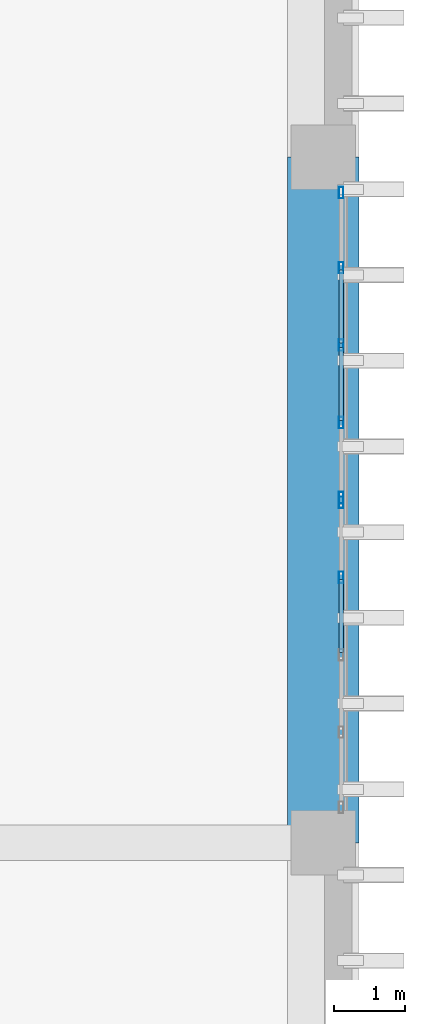
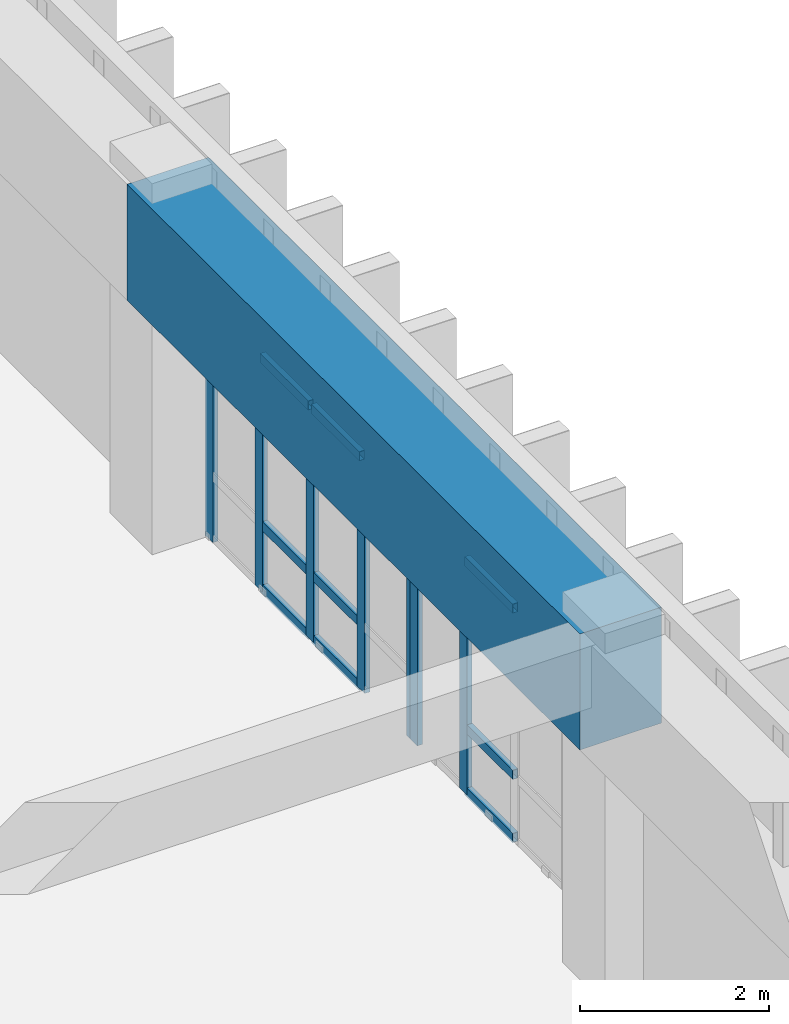
# One storey, part 39 of 101: 16 members, 1 beam, 2 elements without a shape of their own.
"""IFC4 building model written with IfcOpenShell, lengths in metres."""

from ifc_helpers import new_model, si_unit, direction, frame, origin, origin_2d, place, context, subcontext, project, spatial, rectangle, hollow_rectangle, extrude, material, layer, layer_set, material_profile, profile_set, type_object, element, aggregate, save


model = new_model("IFC4")

# Units and contexts
model_context = context("Model", 3, precision=1e-05, world=origin(), true_north=direction((0.0, 1.0)))
body_context = subcontext(model_context, "Body", "Model", "MODEL_VIEW")
ifc_project = project(units=[si_unit("LENGTHUNIT", "METRE"), si_unit("AREAUNIT", "SQUARE_METRE"), si_unit("VOLUMEUNIT", "CUBIC_METRE"), si_unit("PLANEANGLEUNIT", "RADIAN"), si_unit("MASSUNIT", "GRAM", prefix="KILO")], contexts=[model_context])

# Site, building, storey
site_placement = place(None, origin())
site = spatial("IfcSite", under=ifc_project, at=site_placement, CompositionType="ELEMENT")
building_placement = place(site_placement, origin())
building = spatial("IfcBuilding", under=site, at=building_placement, Name="Nakhvara Creek Congress Hotel", CompositionType="ELEMENT")
storey_placement = place(building_placement, frame((0.0, 0.0, 16.199951171875)))
storey = spatial("IfcBuildingStorey", under=building, at=storey_placement, Name="L03", CompositionType="ELEMENT", Elevation=16.199951171875)

# Beam
ifc_material_1 = material(Name="Concrete C50/60", Category="concrete")
ifc_material_profile_1 = material_profile(ifc_material_1, rectangle(XDim=1.0, YDim=1.5, at=origin_2d()), Name="RC-TG 1000x1500", Category="LoadBearing")
ifc_profile_set_1 = profile_set([ifc_material_profile_1], Name="Concrete C50/60")
beam_type = type_object("IfcBeamType", Name="BM-TG2-1500", PredefinedType="BEAM", material=ifc_profile_set_1)
beam_placement = place(storey_placement, frame((179.35009765625, 28.800048828125, 3.7900390625), z_axis=(0.0, 1.0, 0.0), x_axis=(-1.0, 0.0, 0.0)))
element("IfcBeam", 1, at=beam_placement, inside=storey, type_object=beam_type, Name="Transfer Girder TG2-L03-1899", PredefinedType="BEAM", context=body_context, shape_type="SweptSolid", body=[
    extrude(rectangle(XDim=1.0, YDim=1.5, at=origin_2d()), origin(), (0.0, 0.0, 1.0), 9.599853515625),
])

# Curtain wall, members
ifc_material_2 = material(Name="Bronze-anodised aluminium AW-6063-T6 and double-silver low-E glass", Category="aluminium")
ifc_layer = layer(ifc_material_2, 0.199951171875)
ifc_layer_set = layer_set([ifc_layer], Name="Bronze-anodised aluminium AW-6063-T6 and double-silver low-E glass")
curtain_wall_type = type_object("IfcCurtainWallType", Name="CW-HTL-UNIT", PredefinedType="USERDEFINED", material=ifc_layer_set)
curtain_wall_1_placement = place(storey_placement, origin())
curtain_wall_1 = element("IfcCurtainWall", 2, at=curtain_wall_1_placement, inside=storey, type_object=curtain_wall_type, Name="Curtain Wall CW154", ObjectType="UNITISED", PredefinedType="USERDEFINED")
ifc_material_3 = material(Name="Bronze-anodised aluminium AW-6063-T6", Category="aluminium")
ifc_material_profile_2 = material_profile(ifc_material_3, hollow_rectangle(XDim=0.06494140625, YDim=0.159912109375, WallThickness=0.00390625, at=origin_2d()), Name="ALU-MULL 65x160x4", Category="LoadBearing")
ifc_profile_set_2 = profile_set([ifc_material_profile_2], Name="Bronze-anodised aluminium AW-6063-T6")
member_type_1 = type_object("IfcMemberType", Name="CW-MULL-160", PredefinedType="MULLION", material=ifc_profile_set_2)
member_1_placement = place(storey_placement, frame((179.60009765625, 33.5673828125, 0.0), z_axis=(0.0, 0.0, 1.0), x_axis=(1.0, 0.0, 0.0)))
member_1 = element("IfcMember", 3, at=member_1_placement, type_object=member_type_1, Name="CW154 mullion 1", PredefinedType="MULLION", context=body_context, shape_type="SweptSolid", body=[
    extrude(hollow_rectangle(XDim=0.06494140625, YDim=0.159912109375, WallThickness=0.00390625, at=origin_2d()), origin(), (0.0, 0.0, 1.0), 3.031982421875),
])
member_2_placement = place(storey_placement, frame((179.60009765625, 32.516357421875, 0.0), z_axis=(0.0, 0.0, 1.0), x_axis=(1.0, 0.0, 0.0)))
member_2 = element("IfcMember", 4, at=member_2_placement, type_object=member_type_1, Name="CW154 mullion 2", PredefinedType="MULLION", context=body_context, shape_type="SweptSolid", body=[
    extrude(hollow_rectangle(XDim=0.06494140625, YDim=0.159912109375, WallThickness=0.00390625, at=origin_2d()), origin(), (0.0, 0.0, 1.0), 3.031982421875),
])

curtain_wall_2_placement = place(storey_placement, origin())
curtain_wall_2 = element("IfcCurtainWall", 5, at=curtain_wall_2_placement, inside=storey, type_object=curtain_wall_type, Name="Curtain Wall CW155", ObjectType="UNITISED", PredefinedType="USERDEFINED")
member_3_placement = place(storey_placement, frame((179.60009765625, 37.902587890625, 0.0), z_axis=(0.0, 0.0, 1.0), x_axis=(1.0, 0.0, 0.0)))
member_3 = element("IfcMember", 6, at=member_3_placement, type_object=member_type_1, Name="CW155 mullion 1", PredefinedType="MULLION", context=body_context, shape_type="SweptSolid", body=[
    extrude(hollow_rectangle(XDim=0.06494140625, YDim=0.159912109375, WallThickness=0.00390625, at=origin_2d()), origin(), (0.0, 0.0, 1.0), 3.031982421875),
])
member_4_placement = place(storey_placement, frame((179.60009765625, 36.851318359375, 0.0), z_axis=(0.0, 0.0, 1.0), x_axis=(1.0, 0.0, 0.0)))
member_4 = element("IfcMember", 7, at=member_4_placement, type_object=member_type_1, Name="CW155 mullion 2", PredefinedType="MULLION", context=body_context, shape_type="SweptSolid", body=[
    extrude(hollow_rectangle(XDim=0.06494140625, YDim=0.159912109375, WallThickness=0.00390625, at=origin_2d()), origin(), (0.0, 0.0, 1.0), 3.031982421875),
])
member_5_placement = place(storey_placement, frame((179.60009765625, 35.767578125, 0.0), z_axis=(0.0, 0.0, 1.0), x_axis=(1.0, 0.0, 0.0)))
member_5 = element("IfcMember", 8, at=member_5_placement, type_object=member_type_1, Name="CW155 mullion 3", PredefinedType="MULLION", context=body_context, shape_type="SweptSolid", body=[
    extrude(hollow_rectangle(XDim=0.06494140625, YDim=0.159912109375, WallThickness=0.00390625, at=origin_2d()), origin(), (0.0, 0.0, 1.0), 3.031982421875),
])
member_6_placement = place(storey_placement, frame((179.60009765625, 34.683837890625, 0.0), z_axis=(0.0, 0.0, 1.0), x_axis=(1.0, 0.0, 0.0)))
member_6 = element("IfcMember", 9, at=member_6_placement, type_object=member_type_1, Name="CW155 mullion 4", PredefinedType="MULLION", context=body_context, shape_type="SweptSolid", body=[
    extrude(hollow_rectangle(XDim=0.06494140625, YDim=0.159912109375, WallThickness=0.00390625, at=origin_2d()), origin(), (0.0, 0.0, 1.0), 3.031982421875),
])
member_7_placement = place(storey_placement, frame((179.60009765625, 33.632568359375, 0.0), z_axis=(0.0, 0.0, 1.0), x_axis=(1.0, 0.0, 0.0)))
member_7 = element("IfcMember", 10, at=member_7_placement, type_object=member_type_1, Name="CW155 mullion 5", PredefinedType="MULLION", context=body_context, shape_type="SweptSolid", body=[
    extrude(hollow_rectangle(XDim=0.06494140625, YDim=0.159912109375, WallThickness=0.00390625, at=origin_2d()), origin(), (0.0, 0.0, 1.0), 3.031982421875),
])

# Member
ifc_material_profile_3 = material_profile(ifc_material_3, hollow_rectangle(XDim=0.06494140625, YDim=0.1201171875, WallThickness=0.00390625, at=origin_2d()), Name="ALU-TRAN 65x120x4", Category="LoadBearing")
ifc_profile_set_3 = profile_set([ifc_material_profile_3], Name="Bronze-anodised aluminium AW-6063-T6")
member_type_2 = type_object("IfcMemberType", Name="CW-TRAN-120", PredefinedType="USERDEFINED", material=ifc_profile_set_3)
member_8_placement = place(storey_placement, frame((179.60009765625, 32.483642578125, 0.032470703125), z_axis=(0.0, -1.0, 0.0), x_axis=(1.0, 0.0, 0.0)))
member_8 = element("IfcMember", 11, at=member_8_placement, type_object=member_type_2, Name="CW154 transom 2.1", ObjectType="TRANSOM", PredefinedType="USERDEFINED", context=body_context, shape_type="SweptSolid", body=[
    extrude(hollow_rectangle(XDim=0.06494140625, YDim=0.1201171875, WallThickness=0.00390625, at=origin_2d()), origin(), (0.0, 0.0, 1.0), 1.0185546875),
])

member_9_placement = place(storey_placement, frame((179.60009765625, 32.483642578125, 0.85009765625), z_axis=(0.0, -1.0, 0.0), x_axis=(1.0, 0.0, 0.0)))
member_9 = element("IfcMember", 12, at=member_9_placement, type_object=member_type_2, Name="CW154 transom 2.2", ObjectType="TRANSOM", PredefinedType="USERDEFINED", context=body_context, shape_type="SweptSolid", body=[
    extrude(hollow_rectangle(XDim=0.06494140625, YDim=0.1201171875, WallThickness=0.00390625, at=origin_2d()), origin(), (0.0, 0.0, 1.0), 1.0185546875),
])

member_10_placement = place(storey_placement, frame((179.60009765625, 32.483642578125, 2.99951171875), z_axis=(0.0, -1.0, 0.0), x_axis=(1.0, 0.0, 0.0)))
member_10 = element("IfcMember", 13, at=member_10_placement, type_object=member_type_2, Name="CW154 transom 2.3", ObjectType="TRANSOM", PredefinedType="USERDEFINED", context=body_context, shape_type="SweptSolid", body=[
    extrude(hollow_rectangle(XDim=0.06494140625, YDim=0.1201171875, WallThickness=0.00390625, at=origin_2d()), origin(), (0.0, 0.0, 1.0), 1.0185546875),
])

aggregate(curtain_wall_1, [member_1, member_2, member_8, member_9, member_10])

member_11_placement = place(storey_placement, frame((179.60009765625, 36.81884765625, 0.032470703125), z_axis=(0.0, -1.0, 0.0), x_axis=(1.0, 0.0, 0.0)))
member_11 = element("IfcMember", 14, at=member_11_placement, type_object=member_type_2, Name="CW155 transom 2.1", ObjectType="TRANSOM", PredefinedType="USERDEFINED", context=body_context, shape_type="SweptSolid", body=[
    extrude(hollow_rectangle(XDim=0.06494140625, YDim=0.1201171875, WallThickness=0.00390625, at=origin_2d()), origin(), (0.0, 0.0, 1.0), 1.018798828125),
])

member_12_placement = place(storey_placement, frame((179.60009765625, 36.81884765625, 0.85009765625), z_axis=(0.0, -1.0, 0.0), x_axis=(1.0, 0.0, 0.0)))
member_12 = element("IfcMember", 15, at=member_12_placement, type_object=member_type_2, Name="CW155 transom 2.2", ObjectType="TRANSOM", PredefinedType="USERDEFINED", context=body_context, shape_type="SweptSolid", body=[
    extrude(hollow_rectangle(XDim=0.06494140625, YDim=0.1201171875, WallThickness=0.00390625, at=origin_2d()), origin(), (0.0, 0.0, 1.0), 1.018798828125),
])

member_13_placement = place(storey_placement, frame((179.60009765625, 36.81884765625, 2.99951171875), z_axis=(0.0, -1.0, 0.0), x_axis=(1.0, 0.0, 0.0)))
member_13 = element("IfcMember", 16, at=member_13_placement, type_object=member_type_2, Name="CW155 transom 2.3", ObjectType="TRANSOM", PredefinedType="USERDEFINED", context=body_context, shape_type="SweptSolid", body=[
    extrude(hollow_rectangle(XDim=0.06494140625, YDim=0.1201171875, WallThickness=0.00390625, at=origin_2d()), origin(), (0.0, 0.0, 1.0), 1.018798828125),
])

member_14_placement = place(storey_placement, frame((179.60009765625, 35.735107421875, 0.032470703125), z_axis=(0.0, -1.0, 0.0), x_axis=(1.0, 0.0, 0.0)))
member_14 = element("IfcMember", 17, at=member_14_placement, type_object=member_type_2, Name="CW155 transom 3.1", ObjectType="TRANSOM", PredefinedType="USERDEFINED", context=body_context, shape_type="SweptSolid", body=[
    extrude(hollow_rectangle(XDim=0.06494140625, YDim=0.1201171875, WallThickness=0.00390625, at=origin_2d()), origin(), (0.0, 0.0, 1.0), 1.018798828125),
])

member_15_placement = place(storey_placement, frame((179.60009765625, 35.735107421875, 0.85009765625), z_axis=(0.0, -1.0, 0.0), x_axis=(1.0, 0.0, 0.0)))
member_15 = element("IfcMember", 18, at=member_15_placement, type_object=member_type_2, Name="CW155 transom 3.2", ObjectType="TRANSOM", PredefinedType="USERDEFINED", context=body_context, shape_type="SweptSolid", body=[
    extrude(hollow_rectangle(XDim=0.06494140625, YDim=0.1201171875, WallThickness=0.00390625, at=origin_2d()), origin(), (0.0, 0.0, 1.0), 1.018798828125),
])

member_16_placement = place(storey_placement, frame((179.60009765625, 35.735107421875, 2.99951171875), z_axis=(0.0, -1.0, 0.0), x_axis=(1.0, 0.0, 0.0)))
member_16 = element("IfcMember", 19, at=member_16_placement, type_object=member_type_2, Name="CW155 transom 3.3", ObjectType="TRANSOM", PredefinedType="USERDEFINED", context=body_context, shape_type="SweptSolid", body=[
    extrude(hollow_rectangle(XDim=0.06494140625, YDim=0.1201171875, WallThickness=0.00390625, at=origin_2d()), origin(), (0.0, 0.0, 1.0), 1.018798828125),
])

aggregate(curtain_wall_2, [member_3, member_4, member_5, member_6, member_7, member_11, member_12, member_13, member_14, member_15, member_16])

save(model, "model.ifc")
